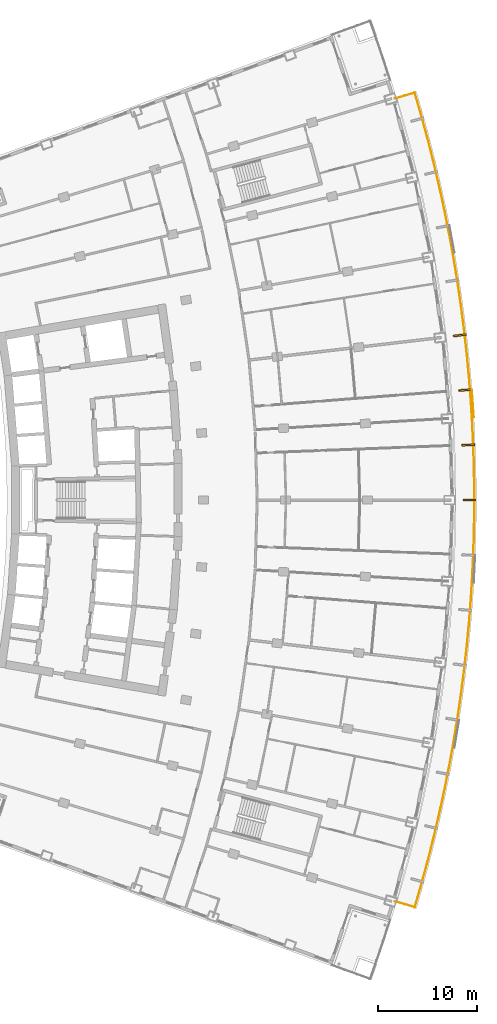
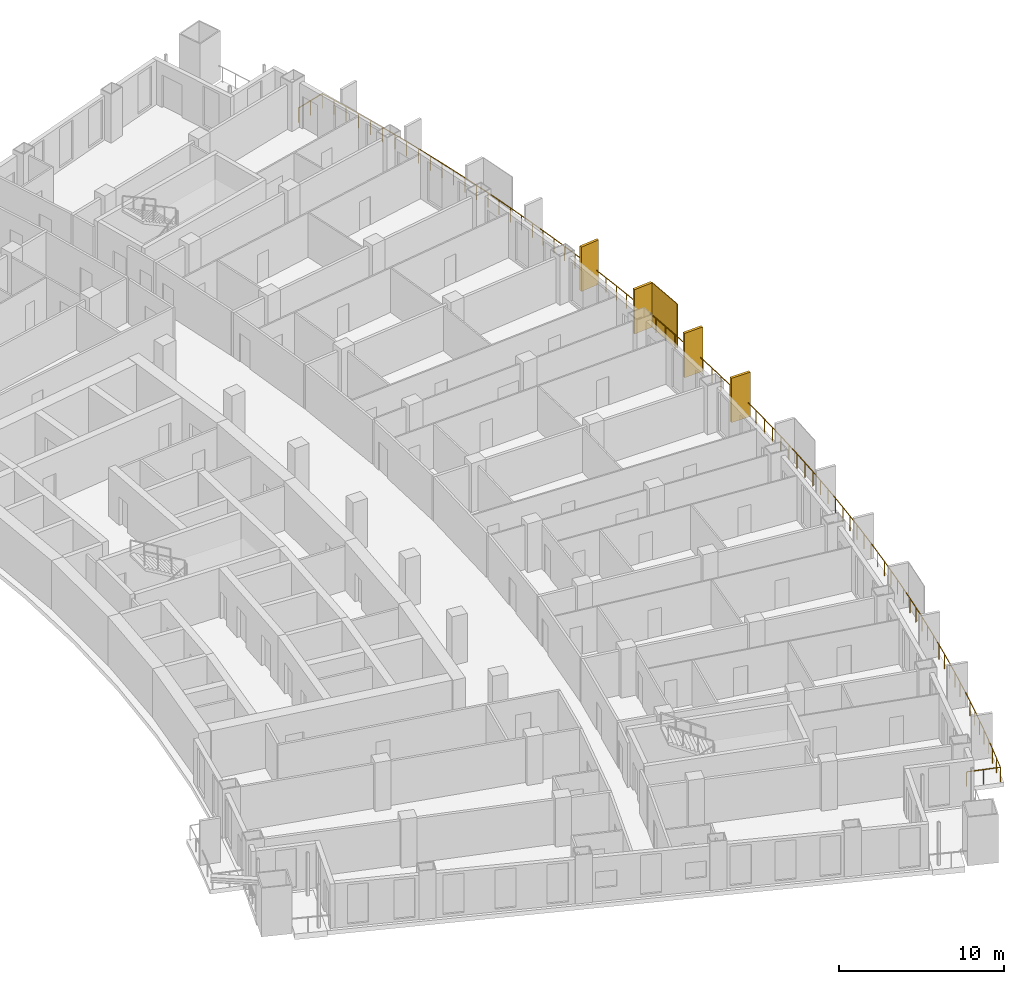
# One storey, part 24 of 25: 5 shading devices, 1 railing.
"""IFC4 building model written with IfcOpenShell, lengths in metres."""

import ifcopenshell
import ifcopenshell.guid

model = None  # the IFC model being written
_history = None  # IfcOwnerHistory: only IFC2X3 demands one
_inside = {}  # id of a spatial element -> (the spatial element, [elements in it])
_under = {}  # id of a project, library or spatial element -> (it, [spatial elements below it])
_declared = {}  # id of a project -> (the project, [libraries it declares])
_typed = {}  # id of a type object -> (the type object, [elements of that type])
_made_of = {}  # id of a material, layer set ... -> (it, [elements and type objects made of it])


def new_model(schema):
    """Start an empty IFC model of exactly this schema.

    Asked for "IFC4X3", IfcOpenShell would pick the latest addendum, in which some entities
    have other attributes; the version numbers below select the first issue.
    IFC2X3 requires an IfcOwnerHistory on every rooted entity: one is made here for all.
    """
    global model, _history
    if schema == "IFC4X3":
        model = ifcopenshell.file(schema_version=(4, 3, 0, 0))
    else:
        model = ifcopenshell.file(schema=schema)
    _inside.clear()
    _under.clear()
    _declared.clear()
    _typed.clear()
    _made_of.clear()
    _history = None
    if model.schema == "IFC2X3":
        org = make("IfcOrganization", Name="unknown")
        user = make(
            "IfcPersonAndOrganization",
            ThePerson=make("IfcPerson", FamilyName="unknown"),
            TheOrganization=org,
        )
        app = make(
            "IfcApplication",
            ApplicationDeveloper=org,
            Version="unknown",
            ApplicationFullName="unknown",
            ApplicationIdentifier="unknown",
        )
        _history = make(
            "IfcOwnerHistory",
            OwningUser=user,
            OwningApplication=app,
            ChangeAction="ADDED",
            CreationDate=0,
        )
    return model


def make(cls, **values):
    """One entity of the class cls with the attributes given. An attribute that is None is left unset."""
    return model.create_entity(
        cls, **{name: value for name, value in values.items() if value is not None}
    )


def rooted(cls, **values):
    """An entity with a GlobalId (a new one), such as an element, a storey or a relation."""
    return make(cls, GlobalId=ifcopenshell.guid.new(), OwnerHistory=_history, **values)


def si_unit(unit_type, name, prefix=None):
    """IfcSIUnit, for example si_unit("LENGTHUNIT", "METRE", prefix="MILLI")."""
    return make("IfcSIUnit", UnitType=unit_type, Prefix=prefix, Name=name)


def assignment(units):
    """IfcUnitAssignment: the units of a project."""
    return None if units is None else make("IfcUnitAssignment", Units=units)


def point(xyz):
    """IfcCartesianPoint."""
    return None if xyz is None else make("IfcCartesianPoint", Coordinates=xyz)


def direction(xyz):
    """IfcDirection."""
    return None if xyz is None else make("IfcDirection", DirectionRatios=xyz)


def frame(location, z_axis=None, x_axis=None):
    """IfcAxis2Placement3D, a coordinate frame: its origin and axes. An axis left out is left unset."""
    return make(
        "IfcAxis2Placement3D",
        Location=point(location),
        Axis=direction(z_axis),
        RefDirection=direction(x_axis),
    )


def frame_2d(location, x_axis=None):
    """IfcAxis2Placement2D, a coordinate frame in the plane: its origin and x axis."""
    return make(
        "IfcAxis2Placement2D", Location=point(location), RefDirection=direction(x_axis)
    )


def origin():
    """The frame at (0, 0, 0) with its axes left unset."""
    return frame((0.0, 0.0, 0.0))


def origin_2d():
    """The frame at (0, 0) in the plane with its x axis left unset."""
    return frame_2d((0.0, 0.0))


def place(relative_to, where):
    """IfcLocalPlacement: puts the frame where relative to a parent placement (None: the world)."""
    return make(
        "IfcLocalPlacement", PlacementRelTo=relative_to, RelativePlacement=where
    )


def context(
    kind, dimensions, precision=None, world=None, true_north=None, identifier=None
):
    """IfcGeometricRepresentationContext, for example the 3D "Model" context."""
    return make(
        "IfcGeometricRepresentationContext",
        ContextIdentifier=identifier,
        ContextType=kind,
        CoordinateSpaceDimension=dimensions,
        Precision=precision,
        WorldCoordinateSystem=world,
        TrueNorth=true_north,
    )


def subcontext(parent, identifier, kind, view, scale=None):
    """IfcGeometricRepresentationSubContext, for example "Body" below "Model"."""
    return make(
        "IfcGeometricRepresentationSubContext",
        ContextIdentifier=identifier,
        ContextType=kind,
        ParentContext=parent,
        TargetScale=scale,
        TargetView=view,
    )


def project(units=None, contexts=None):
    """IfcProject with its units and contexts."""
    return rooted(
        "IfcProject",
        Name="project",
        RepresentationContexts=contexts,
        UnitsInContext=assignment(units),
    )


def spatial(cls, under=None, at=None, **own):
    """A site, building, storey or space (cls), placed at a placement, below another one or the project."""
    s = rooted(cls, ObjectPlacement=at, **own)
    if under is not None:
        _under.setdefault(under.id(), (under, []))[1].append(s)
    return s


def profile(cls, at=None, kind="AREA", **sizes):
    """A parametric profile (cls). Its sizes go by their IFC names, for example OverallWidth=200.0."""
    return make(cls, ProfileType=kind, Position=at, **sizes)


def rectangle(**sizes):
    """IfcRectangleProfileDef."""
    return profile("IfcRectangleProfileDef", **sizes)


def extrude(swept, where, along, depth):
    """IfcExtrudedAreaSolid: the profile swept, set in the frame where, extruded along a direction by depth."""
    return make(
        "IfcExtrudedAreaSolid",
        SweptArea=swept,
        Position=where,
        ExtrudedDirection=direction(along),
        Depth=depth,
    )


def shape(context_of_items, identifier, shape_type, items):
    """IfcShapeRepresentation: the items that make up one representation, for example the "Body"."""
    return make(
        "IfcShapeRepresentation",
        ContextOfItems=context_of_items,
        RepresentationIdentifier=identifier,
        RepresentationType=shape_type,
        Items=items,
    )


def material(Name=None, Category=None):
    """IfcMaterial."""
    return make("IfcMaterial", Name=Name, Category=Category)


def layer(
    of_material, thickness, ventilated=None, Name=None, Category=None, Priority=None
):
    """IfcMaterialLayer: one layer of a wall or slab, of a material (None: an air gap)."""
    return make(
        "IfcMaterialLayer",
        Material=of_material,
        LayerThickness=thickness,
        IsVentilated=ventilated,
        Name=Name,
        Category=Category,
        Priority=Priority,
    )


def layer_set(layers, Name=None):
    """IfcMaterialLayerSet."""
    return make("IfcMaterialLayerSet", MaterialLayers=layers, LayerSetName=Name)


def made_of(thing, what):
    """Note that an element or type object is made of a material, layer set ...; save() writes the relation."""
    if what is not None:
        _made_of.setdefault(what.id(), (what, []))[1].append(thing)
    return thing


def type_object(cls, material=None, **own):
    """A type object (cls), such as IfcWallType, which elements share."""
    return made_of(rooted(cls, **own), material)


def element(
    cls,
    number,
    at=None,
    inside=None,
    cuts=None,
    type_object=None,
    material=None,
    context=None,
    identifier="Body",
    shape_type=None,
    held_by="IfcProductDefinitionShape",
    body=None,
    shapes=None,
    **own,
):
    """One element of the class cls, such as IfcWall. Its Tag is "e" and its number.

    at: its placement. inside: the storey or other place that contains it. cuts: it is an
    opening in that element (IfcRelVoidsElement). A single representation is given by context,
    identifier, shape_type and body (its items); several are given by shapes. held_by: the class
    of the entity that holds the representations. save() writes the other relations.
    """
    e = rooted(cls, Tag="e%d" % number, ObjectPlacement=at, **own)
    if body is not None:
        shapes = [shape(context, identifier, shape_type, body)]
    if shapes is not None:
        e.Representation = make(held_by, Representations=shapes)
    if inside is not None:
        _inside.setdefault(inside.id(), (inside, []))[1].append(e)
    if cuts is not None:
        rooted(
            "IfcRelVoidsElement", RelatingBuildingElement=cuts, RelatedOpeningElement=e
        )
    if type_object is not None:
        _typed.setdefault(type_object.id(), (type_object, []))[1].append(e)
    return made_of(e, material)


def aggregate(whole, parts):
    """IfcRelAggregates: a whole, such as a stair, and the parts it consists of."""
    return rooted("IfcRelAggregates", RelatingObject=whole, RelatedObjects=parts)


def save(model, path):
    """Write the relations noted so far, then the file.

    IfcRelAggregates (storeys below a building ...), IfcRelContainedInSpatialStructure (elements
    in a storey), IfcRelDefinesByType, IfcRelAssociatesMaterial and IfcRelDeclares: one each for
    every whole, place, type object, material and project.
    """
    for whole, parts in _under.values():
        aggregate(whole, parts)
    for where, things in _inside.values():
        rooted(
            "IfcRelContainedInSpatialStructure",
            RelatedElements=things,
            RelatingStructure=where,
        )
    for kind, things in _typed.values():
        rooted("IfcRelDefinesByType", RelatedObjects=things, RelatingType=kind)
    for what, things in _made_of.values():
        rooted("IfcRelAssociatesMaterial", RelatedObjects=things, RelatingMaterial=what)
    for by, libraries in _declared.values():
        rooted("IfcRelDeclares", RelatingContext=by, RelatedDefinitions=libraries)
    model.write(path)


model = new_model("IFC4")

# Units and contexts
model_context = context("Model", 3, precision=1e-05, world=origin(), true_north=direction((0.0, 1.0)))
body_context = subcontext(model_context, "Body", "Model", "MODEL_VIEW")
ifc_project = project(units=[si_unit("LENGTHUNIT", "METRE"), si_unit("AREAUNIT", "SQUARE_METRE"), si_unit("VOLUMEUNIT", "CUBIC_METRE"), si_unit("PLANEANGLEUNIT", "RADIAN"), si_unit("MASSUNIT", "GRAM", prefix="KILO")], contexts=[model_context])

# Site, building, storey
site_placement = place(None, origin())
site = spatial("IfcSite", under=ifc_project, at=site_placement, CompositionType="ELEMENT")
building_placement = place(site_placement, origin())
building = spatial("IfcBuilding", under=site, at=building_placement, Name="Alderwake Tower", CompositionType="ELEMENT")
storey_placement = place(building_placement, frame((0.0, 0.0, 118.39990234375)))
storey = spatial("IfcBuildingStorey", under=building, at=storey_placement, Name="L29", CompositionType="ELEMENT", Elevation=118.39990234375)

# Railing
ifc_material_1 = material(Name="Stainless steel 316 rail and posts", Category="steel")
railing_type = type_object("IfcRailingType", Name="Balcony guard 1100", PredefinedType="GUARDRAIL", material=ifc_material_1)
railing_placement = place(storey_placement, frame((55.0732421875, 20.550048828125, 0.0)))
element("IfcRailing", 1, at=railing_placement, inside=storey, type_object=railing_type, Name="Guard BF02", PredefinedType="GUARDRAIL", context=body_context, shape_type="SweptSolid", body=[
    extrude(rectangle(XDim=0.048095703125, YDim=0.048095703125, at=origin_2d()), frame((0.0, 0.0, 1.076171875), z_axis=(0.957954179098, -0.286921227429, 0.0), x_axis=(0.286921227429, 0.957954179098, 0.0)), (0.0, 0.0, 1.0), 2.10009765625),
    extrude(rectangle(XDim=0.048095703125, YDim=0.048095703125, at=origin_2d()), frame((2.01171875, -0.6025390625, 1.076171875), z_axis=(0.280283097099, 0.959917384716, 0.0), x_axis=(-0.959917384716, 0.280283097099, 0.0)), (0.0, 0.0, 1.0), 1.98681640625),
    extrude(rectangle(XDim=0.048095703125, YDim=0.048095703125, at=origin_2d()), frame((2.568603515625, 1.3046875, 1.076171875), z_axis=(0.266491255264, 0.963837336311, 0.0), x_axis=(-0.963837336311, 0.266491255264, 0.0)), (0.0, 0.0, 1.0), 2.0869140625),
    extrude(rectangle(XDim=0.048095703125, YDim=0.048095703125, at=origin_2d()), frame((3.124755859375, 3.316162109375, 1.076171875), z_axis=(0.252459995682, 0.967607332848, 0.0), x_axis=(-0.967607332848, 0.252459995682, 0.0)), (0.0, 0.0, 1.0), 2.0869140625),
    extrude(rectangle(XDim=0.048095703125, YDim=0.048095703125, at=origin_2d()), frame((3.651611328125, 5.33544921875, 1.076171875), z_axis=(0.238321472338, 0.971186323947, 0.0), x_axis=(-0.971186323947, 0.238321472338, 0.0)), (0.0, 0.0, 1.0), 2.086669921875),
    extrude(rectangle(XDim=0.048095703125, YDim=0.048095703125, at=origin_2d()), frame((4.14892578125, 7.362060546875, 1.076171875), z_axis=(0.224158804419, 0.974552630904, 0.0), x_axis=(-0.974552630904, 0.224158804419, 0.0)), (0.0, 0.0, 1.0), 2.0869140625),
    extrude(rectangle(XDim=0.048095703125, YDim=0.048095703125, at=origin_2d()), frame((4.61669921875, 9.395751953125, 1.076171875), z_axis=(0.209864613259, 0.97773045575, 0.0), x_axis=(-0.97773045575, 0.209864613259, 0.0)), (0.0, 0.0, 1.0), 2.0869140625),
    extrude(rectangle(XDim=0.048095703125, YDim=0.048095703125, at=origin_2d()), frame((5.0546875, 11.436279296875, 1.076171875), z_axis=(0.195621117445, 0.980679549297, 0.0), x_axis=(-0.980679549297, 0.195621117445, 0.0)), (0.0, 0.0, 1.0), 2.086669921875),
    extrude(rectangle(XDim=0.048095703125, YDim=0.048095703125, at=origin_2d()), frame((5.462890625, 13.482666015625, 1.076171875), z_axis=(0.181201135189, 0.983446057802, 0.0), x_axis=(-0.983446057802, 0.181201135189, 0.0)), (0.0, 0.0, 1.0), 2.087158203125),
    extrude(rectangle(XDim=0.048095703125, YDim=0.048095703125, at=origin_2d()), frame((5.841064453125, 15.53515625, 1.076171875), z_axis=(0.16695979662, 0.985963704359, 0.0), x_axis=(-0.985963704359, 0.16695979662, 0.0)), (0.0, 0.0, 1.0), 2.086669921875),
    extrude(rectangle(XDim=0.048095703125, YDim=0.048095703125, at=origin_2d()), frame((6.189453125, 17.592529296875, 1.076171875), z_axis=(0.152549452359, 0.988295838595, 0.0), x_axis=(-0.988295838595, 0.152549452359, 0.0)), (0.0, 0.0, 1.0), 2.0869140625),
    extrude(rectangle(XDim=0.048095703125, YDim=0.048095703125, at=origin_2d()), frame((6.5078125, 19.655029296875, 1.076171875), z_axis=(0.138046582794, 0.990425737236, 0.0), x_axis=(-0.990425737236, 0.138046582794, 0.0)), (0.0, 0.0, 1.0), 2.0869140625),
    extrude(rectangle(XDim=0.048095703125, YDim=0.048095703125, at=origin_2d()), frame((6.7958984375, 21.721923828125, 1.076171875), z_axis=(0.123660351943, 0.992324602818, 0.0), x_axis=(-0.992324602818, 0.123660351943, 0.0)), (0.0, 0.0, 1.0), 2.0869140625),
    extrude(rectangle(XDim=0.048095703125, YDim=0.048095703125, at=origin_2d()), frame((7.053955078125, 23.792724609375, 1.076171875), z_axis=(0.109147447014, 0.994025570501, 0.0), x_axis=(-0.994025570501, 0.109147447014, 0.0)), (0.0, 0.0, 1.0), 2.0869140625),
    extrude(rectangle(XDim=0.048095703125, YDim=0.048095703125, at=origin_2d()), frame((7.28173828125, 25.8671875, 1.076171875), z_axis=(0.094648979103, 0.995510708508, 0.0), x_axis=(-0.995510708508, 0.094648979103, 0.0)), (0.0, 0.0, 1.0), 2.086669921875),
    extrude(rectangle(XDim=0.048095703125, YDim=0.048095703125, at=origin_2d()), frame((7.479248046875, 27.944580078125, 1.076171875), z_axis=(0.080131119252, 0.996784331602, 0.0), x_axis=(-0.996784331602, 0.080131119252, 0.0)), (0.0, 0.0, 1.0), 2.0869140625),
    extrude(rectangle(XDim=0.048095703125, YDim=0.048095703125, at=origin_2d()), frame((7.646484375, 30.02490234375, 1.076171875), z_axis=(0.065633762523, 0.997843779966, 0.0), x_axis=(-0.997843779966, 0.065633762523, 0.0)), (0.0, 0.0, 1.0), 2.086669921875),
    extrude(rectangle(XDim=0.048095703125, YDim=0.048095703125, at=origin_2d()), frame((7.783447265625, 32.107177734375, 1.076171875), z_axis=(0.051005329057, 0.998698381098, 0.0), x_axis=(-0.998698381098, 0.051005329057, 0.0)), (0.0, 0.0, 1.0), 2.0869140625),
    extrude(rectangle(XDim=0.048095703125, YDim=0.048095703125, at=origin_2d()), frame((7.889892578125, 34.19140625, 1.076171875), z_axis=(0.036384228407, 0.999337874757, 0.0), x_axis=(-0.999337874757, 0.036384228407, 0.0)), (0.0, 0.0, 1.0), 2.0869140625),
    extrude(rectangle(XDim=0.048095703125, YDim=0.048095703125, at=origin_2d()), frame((7.9658203125, 36.27685546875, 1.076171875), z_axis=(0.021878904325, 0.999760628123, 0.0), x_axis=(-0.999760628123, 0.021878904325, 0.0)), (0.0, 0.0, 1.0), 2.086669921875),
    extrude(rectangle(XDim=0.048095703125, YDim=0.048095703125, at=origin_2d()), frame((8.011474609375, 38.363037109375, 1.076171875), z_axis=(0.007369944902, 0.999972841587, 0.0), x_axis=(-0.999972841587, 0.007369944902, 0.0)), (0.0, 0.0, 1.0), 2.0869140625),
    extrude(rectangle(XDim=0.048095703125, YDim=0.048095703125, at=origin_2d()), frame((8.02685546875, 40.449951171875, 1.076171875), z_axis=(-0.007369944902, 0.999972841587, 0.0), x_axis=(-0.999972841587, -0.007369944902, 0.0)), (0.0, 0.0, 1.0), 2.0869140625),
    extrude(rectangle(XDim=0.048095703125, YDim=0.048095703125, at=origin_2d()), frame((8.011474609375, 42.536865234375, 1.076171875), z_axis=(-0.021878904325, 0.999760628123, 0.0), x_axis=(-0.999760628123, -0.021878904325, 0.0)), (0.0, 0.0, 1.0), 2.086669921875),
    extrude(rectangle(XDim=0.048095703125, YDim=0.048095703125, at=origin_2d()), frame((7.9658203125, 44.623046875, 1.076171875), z_axis=(-0.036384228407, 0.999337874757, 0.0), x_axis=(-0.999337874757, -0.036384228407, 0.0)), (0.0, 0.0, 1.0), 2.0869140625),
    extrude(rectangle(XDim=0.048095703125, YDim=0.048095703125, at=origin_2d()), frame((7.889892578125, 46.70849609375, 1.076171875), z_axis=(-0.051005329057, 0.998698381098, 0.0), x_axis=(-0.998698381098, -0.051005329057, 0.0)), (0.0, 0.0, 1.0), 2.0869140625),
    extrude(rectangle(XDim=0.048095703125, YDim=0.048095703125, at=origin_2d()), frame((7.783447265625, 48.792724609375, 1.076171875), z_axis=(-0.065633762523, 0.997843779966, 0.0), x_axis=(-0.997843779966, -0.065633762523, 0.0)), (0.0, 0.0, 1.0), 2.086669921875),
    extrude(rectangle(XDim=0.048095703125, YDim=0.048095703125, at=origin_2d()), frame((7.646484375, 50.875, 1.076171875), z_axis=(-0.080131119252, 0.996784331602, 0.0), x_axis=(-0.996784331602, -0.080131119252, 0.0)), (0.0, 0.0, 1.0), 2.0869140625),
    extrude(rectangle(XDim=0.048095703125, YDim=0.048095703125, at=origin_2d()), frame((7.479248046875, 52.955322265625, 1.076171875), z_axis=(-0.094648979103, 0.995510708508, 0.0), x_axis=(-0.995510708508, -0.094648979103, 0.0)), (0.0, 0.0, 1.0), 2.086669921875),
    extrude(rectangle(XDim=0.048095703125, YDim=0.048095703125, at=origin_2d()), frame((7.28173828125, 55.03271484375, 1.076171875), z_axis=(-0.109147447014, 0.994025570501, 0.0), x_axis=(-0.994025570501, -0.109147447014, 0.0)), (0.0, 0.0, 1.0), 2.0869140625),
    extrude(rectangle(XDim=0.048095703125, YDim=0.048095703125, at=origin_2d()), frame((7.053955078125, 57.107177734375, 1.076171875), z_axis=(-0.123660351943, 0.992324602818, 0.0), x_axis=(-0.992324602818, -0.123660351943, 0.0)), (0.0, 0.0, 1.0), 2.0869140625),
    extrude(rectangle(XDim=0.048095703125, YDim=0.048095703125, at=origin_2d()), frame((6.7958984375, 59.177978515625, 1.076171875), z_axis=(-0.138046582794, 0.990425737236, 0.0), x_axis=(-0.990425737236, -0.138046582794, 0.0)), (0.0, 0.0, 1.0), 2.0869140625),
    extrude(rectangle(XDim=0.048095703125, YDim=0.048095703125, at=origin_2d()), frame((6.5078125, 61.244873046875, 1.076171875), z_axis=(-0.152549452359, 0.988295838595, 0.0), x_axis=(-0.988295838595, -0.152549452359, 0.0)), (0.0, 0.0, 1.0), 2.0869140625),
    extrude(rectangle(XDim=0.048095703125, YDim=0.048095703125, at=origin_2d()), frame((6.189453125, 63.307373046875, 1.076171875), z_axis=(-0.16695979662, 0.985963704359, 0.0), x_axis=(-0.985963704359, -0.16695979662, 0.0)), (0.0, 0.0, 1.0), 2.086669921875),
    extrude(rectangle(XDim=0.048095703125, YDim=0.048095703125, at=origin_2d()), frame((5.841064453125, 65.36474609375, 1.076171875), z_axis=(-0.181201135189, 0.983446057802, 0.0), x_axis=(-0.983446057802, -0.181201135189, 0.0)), (0.0, 0.0, 1.0), 2.087158203125),
    extrude(rectangle(XDim=0.048095703125, YDim=0.048095703125, at=origin_2d()), frame((5.462890625, 67.417236328125, 1.076171875), z_axis=(-0.195621117445, 0.980679549297, 0.0), x_axis=(-0.980679549297, -0.195621117445, 0.0)), (0.0, 0.0, 1.0), 2.086669921875),
    extrude(rectangle(XDim=0.048095703125, YDim=0.048095703125, at=origin_2d()), frame((5.0546875, 69.463623046875, 1.076171875), z_axis=(-0.209864613259, 0.97773045575, 0.0), x_axis=(-0.97773045575, -0.209864613259, 0.0)), (0.0, 0.0, 1.0), 2.0869140625),
    extrude(rectangle(XDim=0.048095703125, YDim=0.048095703125, at=origin_2d()), frame((4.61669921875, 71.504150390625, 1.076171875), z_axis=(-0.224158804419, 0.974552630904, 0.0), x_axis=(-0.974552630904, -0.224158804419, 0.0)), (0.0, 0.0, 1.0), 2.0869140625),
    extrude(rectangle(XDim=0.048095703125, YDim=0.048095703125, at=origin_2d()), frame((4.14892578125, 73.537841796875, 1.076171875), z_axis=(-0.238321472338, 0.971186323947, 0.0), x_axis=(-0.971186323947, -0.238321472338, 0.0)), (0.0, 0.0, 1.0), 2.086669921875),
    extrude(rectangle(XDim=0.048095703125, YDim=0.048095703125, at=origin_2d()), frame((3.651611328125, 75.564453125, 1.076171875), z_axis=(-0.252459995682, 0.967607332848, 0.0), x_axis=(-0.967607332848, -0.252459995682, 0.0)), (0.0, 0.0, 1.0), 2.0869140625),
    extrude(rectangle(XDim=0.048095703125, YDim=0.048095703125, at=origin_2d()), frame((3.124755859375, 77.583740234375, 1.076171875), z_axis=(-0.266491255264, 0.963837336311, 0.0), x_axis=(-0.963837336311, -0.266491255264, 0.0)), (0.0, 0.0, 1.0), 2.0869140625),
    extrude(rectangle(XDim=0.048095703125, YDim=0.048095703125, at=origin_2d()), frame((2.568603515625, 79.59521484375, 1.076171875), z_axis=(-0.280283097099, 0.959917384716, 0.0), x_axis=(-0.959917384716, -0.280283097099, 0.0)), (0.0, 0.0, 1.0), 1.98681640625),
    extrude(rectangle(XDim=0.048095703125, YDim=0.048095703125, at=origin_2d()), frame((2.01171875, 81.50244140625, 1.076171875), z_axis=(-0.957954179098, -0.286921227429, 0.0), x_axis=(0.286921227429, -0.957954179098, 0.0)), (0.0, 0.0, 1.0), 2.10009765625),
    extrude(rectangle(XDim=0.0419921875, YDim=0.0419921875, at=origin_2d()), frame((0.0, 0.0, 0.0), z_axis=(0.0, 0.0, 1.0), x_axis=(0.957954179098, -0.286921227429, 0.0)), (0.0, 0.0, 1.0), 1.052001953125),
    extrude(rectangle(XDim=0.0419921875, YDim=0.0419921875, at=origin_2d()), frame((1.005859375, -0.30126953125, 0.0), z_axis=(0.0, 0.0, 1.0), x_axis=(0.957954179098, -0.286921227429, 0.0)), (0.0, 0.0, 1.0), 1.052001953125),
    extrude(rectangle(XDim=0.0419921875, YDim=0.0419921875, at=origin_2d()), frame((2.01171875, -0.6025390625, 0.0), z_axis=(0.0, 0.0, 1.0), x_axis=(0.280283097099, 0.959917384716, 0.0)), (0.0, 0.0, 1.0), 1.052001953125),
    extrude(rectangle(XDim=0.0419921875, YDim=0.0419921875, at=origin_2d()), frame((2.2900390625, 0.35107421875, 0.0), z_axis=(0.0, 0.0, 1.0), x_axis=(0.280283097099, 0.959917384716, 0.0)), (0.0, 0.0, 1.0), 1.052001953125),
    extrude(rectangle(XDim=0.0419921875, YDim=0.0419921875, at=origin_2d()), frame((2.568603515625, 1.3046875, 0.0), z_axis=(0.0, 0.0, 1.0), x_axis=(0.266491255264, 0.963837336311, 0.0)), (0.0, 0.0, 1.0), 1.052001953125),
    extrude(rectangle(XDim=0.0419921875, YDim=0.0419921875, at=origin_2d()), frame((2.8466796875, 2.310546875, 0.0), z_axis=(0.0, 0.0, 1.0), x_axis=(0.266491255264, 0.963837336311, 0.0)), (0.0, 0.0, 1.0), 1.052001953125),
    extrude(rectangle(XDim=0.0419921875, YDim=0.0419921875, at=origin_2d()), frame((3.124755859375, 3.316162109375, 0.0), z_axis=(0.0, 0.0, 1.0), x_axis=(0.252459995682, 0.967607332848, 0.0)), (0.0, 0.0, 1.0), 1.052001953125),
    extrude(rectangle(XDim=0.0419921875, YDim=0.0419921875, at=origin_2d()), frame((3.38818359375, 4.32568359375, 0.0), z_axis=(0.0, 0.0, 1.0), x_axis=(0.252459995682, 0.967607332848, 0.0)), (0.0, 0.0, 1.0), 1.052001953125),
    extrude(rectangle(XDim=0.0419921875, YDim=0.0419921875, at=origin_2d()), frame((3.651611328125, 5.33544921875, 0.0), z_axis=(0.0, 0.0, 1.0), x_axis=(0.238321472338, 0.971186323947, 0.0)), (0.0, 0.0, 1.0), 1.052001953125),
    extrude(rectangle(XDim=0.0419921875, YDim=0.0419921875, at=origin_2d()), frame((3.900390625, 6.3486328125, 0.0), z_axis=(0.0, 0.0, 1.0), x_axis=(0.238321472338, 0.971186323947, 0.0)), (0.0, 0.0, 1.0), 1.052001953125),
    extrude(rectangle(XDim=0.0419921875, YDim=0.0419921875, at=origin_2d()), frame((4.14892578125, 7.362060546875, 0.0), z_axis=(0.0, 0.0, 1.0), x_axis=(0.224158804419, 0.974552630904, 0.0)), (0.0, 0.0, 1.0), 1.052001953125),
    extrude(rectangle(XDim=0.0419921875, YDim=0.0419921875, at=origin_2d()), frame((4.3828125, 8.37890625, 0.0), z_axis=(0.0, 0.0, 1.0), x_axis=(0.224158804419, 0.974552630904, 0.0)), (0.0, 0.0, 1.0), 1.052001953125),
    extrude(rectangle(XDim=0.0419921875, YDim=0.0419921875, at=origin_2d()), frame((4.61669921875, 9.395751953125, 0.0), z_axis=(0.0, 0.0, 1.0), x_axis=(0.209864613259, 0.97773045575, 0.0)), (0.0, 0.0, 1.0), 1.052001953125),
    extrude(rectangle(XDim=0.0419921875, YDim=0.0419921875, at=origin_2d()), frame((4.835693359375, 10.416015625, 0.0), z_axis=(0.0, 0.0, 1.0), x_axis=(0.209864613259, 0.97773045575, 0.0)), (0.0, 0.0, 1.0), 1.052001953125),
    extrude(rectangle(XDim=0.0419921875, YDim=0.0419921875, at=origin_2d()), frame((5.0546875, 11.436279296875, 0.0), z_axis=(0.0, 0.0, 1.0), x_axis=(0.195621117445, 0.980679549297, 0.0)), (0.0, 0.0, 1.0), 1.052001953125),
    extrude(rectangle(XDim=0.0419921875, YDim=0.0419921875, at=origin_2d()), frame((5.2587890625, 12.45947265625, 0.0), z_axis=(0.0, 0.0, 1.0), x_axis=(0.195621117445, 0.980679549297, 0.0)), (0.0, 0.0, 1.0), 1.052001953125),
    extrude(rectangle(XDim=0.0419921875, YDim=0.0419921875, at=origin_2d()), frame((5.462890625, 13.482666015625, 0.0), z_axis=(0.0, 0.0, 1.0), x_axis=(0.181201135189, 0.983446057802, 0.0)), (0.0, 0.0, 1.0), 1.052001953125),
    extrude(rectangle(XDim=0.0419921875, YDim=0.0419921875, at=origin_2d()), frame((5.65185546875, 14.5087890625, 0.0), z_axis=(0.0, 0.0, 1.0), x_axis=(0.181201135189, 0.983446057802, 0.0)), (0.0, 0.0, 1.0), 1.052001953125),
    extrude(rectangle(XDim=0.0419921875, YDim=0.0419921875, at=origin_2d()), frame((5.841064453125, 15.53515625, 0.0), z_axis=(0.0, 0.0, 1.0), x_axis=(0.16695979662, 0.985963704359, 0.0)), (0.0, 0.0, 1.0), 1.052001953125),
    extrude(rectangle(XDim=0.0419921875, YDim=0.0419921875, at=origin_2d()), frame((6.01513671875, 16.56396484375, 0.0), z_axis=(0.0, 0.0, 1.0), x_axis=(0.16695979662, 0.985963704359, 0.0)), (0.0, 0.0, 1.0), 1.052001953125),
    extrude(rectangle(XDim=0.0419921875, YDim=0.0419921875, at=origin_2d()), frame((6.189453125, 17.592529296875, 0.0), z_axis=(0.0, 0.0, 1.0), x_axis=(0.152549452359, 0.988295838595, 0.0)), (0.0, 0.0, 1.0), 1.052001953125),
    extrude(rectangle(XDim=0.0419921875, YDim=0.0419921875, at=origin_2d()), frame((6.3486328125, 18.623779296875, 0.0), z_axis=(0.0, 0.0, 1.0), x_axis=(0.152549452359, 0.988295838595, 0.0)), (0.0, 0.0, 1.0), 1.052001953125),
    extrude(rectangle(XDim=0.0419921875, YDim=0.0419921875, at=origin_2d()), frame((6.5078125, 19.655029296875, 0.0), z_axis=(0.0, 0.0, 1.0), x_axis=(0.138046582794, 0.990425737236, 0.0)), (0.0, 0.0, 1.0), 1.052001953125),
    extrude(rectangle(XDim=0.0419921875, YDim=0.0419921875, at=origin_2d()), frame((6.65185546875, 20.6884765625, 0.0), z_axis=(0.0, 0.0, 1.0), x_axis=(0.138046582794, 0.990425737236, 0.0)), (0.0, 0.0, 1.0), 1.052001953125),
    extrude(rectangle(XDim=0.0419921875, YDim=0.0419921875, at=origin_2d()), frame((6.7958984375, 21.721923828125, 0.0), z_axis=(0.0, 0.0, 1.0), x_axis=(0.123660351943, 0.992324602818, 0.0)), (0.0, 0.0, 1.0), 1.052001953125),
    extrude(rectangle(XDim=0.0419921875, YDim=0.0419921875, at=origin_2d()), frame((6.9248046875, 22.75732421875, 0.0), z_axis=(0.0, 0.0, 1.0), x_axis=(0.123660351943, 0.992324602818, 0.0)), (0.0, 0.0, 1.0), 1.052001953125),
    extrude(rectangle(XDim=0.0419921875, YDim=0.0419921875, at=origin_2d()), frame((7.053955078125, 23.792724609375, 0.0), z_axis=(0.0, 0.0, 1.0), x_axis=(0.109147447014, 0.994025570501, 0.0)), (0.0, 0.0, 1.0), 1.052001953125),
    extrude(rectangle(XDim=0.0419921875, YDim=0.0419921875, at=origin_2d()), frame((7.16796875, 24.830078125, 0.0), z_axis=(0.0, 0.0, 1.0), x_axis=(0.109147447014, 0.994025570501, 0.0)), (0.0, 0.0, 1.0), 1.052001953125),
    extrude(rectangle(XDim=0.0419921875, YDim=0.0419921875, at=origin_2d()), frame((7.28173828125, 25.8671875, 0.0), z_axis=(0.0, 0.0, 1.0), x_axis=(0.094648979103, 0.995510708508, 0.0)), (0.0, 0.0, 1.0), 1.052001953125),
    extrude(rectangle(XDim=0.0419921875, YDim=0.0419921875, at=origin_2d()), frame((7.38037109375, 26.90576171875, 0.0), z_axis=(0.0, 0.0, 1.0), x_axis=(0.094648979103, 0.995510708508, 0.0)), (0.0, 0.0, 1.0), 1.052001953125),
    extrude(rectangle(XDim=0.0419921875, YDim=0.0419921875, at=origin_2d()), frame((7.479248046875, 27.944580078125, 0.0), z_axis=(0.0, 0.0, 1.0), x_axis=(0.080131119252, 0.996784331602, 0.0)), (0.0, 0.0, 1.0), 1.052001953125),
    extrude(rectangle(XDim=0.0419921875, YDim=0.0419921875, at=origin_2d()), frame((7.56298828125, 28.98486328125, 0.0), z_axis=(0.0, 0.0, 1.0), x_axis=(0.080131119252, 0.996784331602, 0.0)), (0.0, 0.0, 1.0), 1.052001953125),
    extrude(rectangle(XDim=0.0419921875, YDim=0.0419921875, at=origin_2d()), frame((7.646484375, 30.02490234375, 0.0), z_axis=(0.0, 0.0, 1.0), x_axis=(0.065633762523, 0.997843779966, 0.0)), (0.0, 0.0, 1.0), 1.052001953125),
    extrude(rectangle(XDim=0.0419921875, YDim=0.0419921875, at=origin_2d()), frame((7.71484375, 31.06591796875, 0.0), z_axis=(0.0, 0.0, 1.0), x_axis=(0.065633762523, 0.997843779966, 0.0)), (0.0, 0.0, 1.0), 1.052001953125),
    extrude(rectangle(XDim=0.0419921875, YDim=0.0419921875, at=origin_2d()), frame((7.783447265625, 32.107177734375, 0.0), z_axis=(0.0, 0.0, 1.0), x_axis=(0.051005329057, 0.998698381098, 0.0)), (0.0, 0.0, 1.0), 1.052001953125),
    extrude(rectangle(XDim=0.0419921875, YDim=0.0419921875, at=origin_2d()), frame((7.836669921875, 33.1494140625, 0.0), z_axis=(0.0, 0.0, 1.0), x_axis=(0.051005329057, 0.998698381098, 0.0)), (0.0, 0.0, 1.0), 1.052001953125),
    extrude(rectangle(XDim=0.0419921875, YDim=0.0419921875, at=origin_2d()), frame((7.889892578125, 34.19140625, 0.0), z_axis=(0.0, 0.0, 1.0), x_axis=(0.036384228407, 0.999337874757, 0.0)), (0.0, 0.0, 1.0), 1.052001953125),
    extrude(rectangle(XDim=0.0419921875, YDim=0.0419921875, at=origin_2d()), frame((7.927734375, 35.234130859375, 0.0), z_axis=(0.0, 0.0, 1.0), x_axis=(0.036384228407, 0.999337874757, 0.0)), (0.0, 0.0, 1.0), 1.052001953125),
    extrude(rectangle(XDim=0.0419921875, YDim=0.0419921875, at=origin_2d()), frame((7.9658203125, 36.27685546875, 0.0), z_axis=(0.0, 0.0, 1.0), x_axis=(0.021878904325, 0.999760628123, 0.0)), (0.0, 0.0, 1.0), 1.052001953125),
    extrude(rectangle(XDim=0.0419921875, YDim=0.0419921875, at=origin_2d()), frame((7.98876953125, 37.31982421875, 0.0), z_axis=(0.0, 0.0, 1.0), x_axis=(0.021878904325, 0.999760628123, 0.0)), (0.0, 0.0, 1.0), 1.052001953125),
    extrude(rectangle(XDim=0.0419921875, YDim=0.0419921875, at=origin_2d()), frame((8.011474609375, 38.363037109375, 0.0), z_axis=(0.0, 0.0, 1.0), x_axis=(0.007369944902, 0.999972841587, 0.0)), (0.0, 0.0, 1.0), 1.052001953125),
    extrude(rectangle(XDim=0.0419921875, YDim=0.0419921875, at=origin_2d()), frame((8.01904296875, 39.406494140625, 0.0), z_axis=(0.0, 0.0, 1.0), x_axis=(0.007369944902, 0.999972841587, 0.0)), (0.0, 0.0, 1.0), 1.052001953125),
    extrude(rectangle(XDim=0.0419921875, YDim=0.0419921875, at=origin_2d()), frame((8.02685546875, 40.449951171875, 0.0), z_axis=(0.0, 0.0, 1.0), x_axis=(-0.007369944902, 0.999972841587, 0.0)), (0.0, 0.0, 1.0), 1.052001953125),
    extrude(rectangle(XDim=0.0419921875, YDim=0.0419921875, at=origin_2d()), frame((8.01904296875, 41.493408203125, 0.0), z_axis=(0.0, 0.0, 1.0), x_axis=(-0.007369944902, 0.999972841587, 0.0)), (0.0, 0.0, 1.0), 1.052001953125),
    extrude(rectangle(XDim=0.0419921875, YDim=0.0419921875, at=origin_2d()), frame((8.011474609375, 42.536865234375, 0.0), z_axis=(0.0, 0.0, 1.0), x_axis=(-0.021878904325, 0.999760628123, 0.0)), (0.0, 0.0, 1.0), 1.052001953125),
    extrude(rectangle(XDim=0.0419921875, YDim=0.0419921875, at=origin_2d()), frame((7.98876953125, 43.580078125, 0.0), z_axis=(0.0, 0.0, 1.0), x_axis=(-0.021878904325, 0.999760628123, 0.0)), (0.0, 0.0, 1.0), 1.052001953125),
    extrude(rectangle(XDim=0.0419921875, YDim=0.0419921875, at=origin_2d()), frame((7.9658203125, 44.623046875, 0.0), z_axis=(0.0, 0.0, 1.0), x_axis=(-0.036384228407, 0.999337874757, 0.0)), (0.0, 0.0, 1.0), 1.052001953125),
    extrude(rectangle(XDim=0.0419921875, YDim=0.0419921875, at=origin_2d()), frame((7.927734375, 45.665771484375, 0.0), z_axis=(0.0, 0.0, 1.0), x_axis=(-0.036384228407, 0.999337874757, 0.0)), (0.0, 0.0, 1.0), 1.052001953125),
    extrude(rectangle(XDim=0.0419921875, YDim=0.0419921875, at=origin_2d()), frame((7.889892578125, 46.70849609375, 0.0), z_axis=(0.0, 0.0, 1.0), x_axis=(-0.051005329057, 0.998698381098, 0.0)), (0.0, 0.0, 1.0), 1.052001953125),
    extrude(rectangle(XDim=0.0419921875, YDim=0.0419921875, at=origin_2d()), frame((7.836669921875, 47.75048828125, 0.0), z_axis=(0.0, 0.0, 1.0), x_axis=(-0.051005329057, 0.998698381098, 0.0)), (0.0, 0.0, 1.0), 1.052001953125),
    extrude(rectangle(XDim=0.0419921875, YDim=0.0419921875, at=origin_2d()), frame((7.783447265625, 48.792724609375, 0.0), z_axis=(0.0, 0.0, 1.0), x_axis=(-0.065633762523, 0.997843779966, 0.0)), (0.0, 0.0, 1.0), 1.052001953125),
    extrude(rectangle(XDim=0.0419921875, YDim=0.0419921875, at=origin_2d()), frame((7.71484375, 49.833984375, 0.0), z_axis=(0.0, 0.0, 1.0), x_axis=(-0.065633762523, 0.997843779966, 0.0)), (0.0, 0.0, 1.0), 1.052001953125),
    extrude(rectangle(XDim=0.0419921875, YDim=0.0419921875, at=origin_2d()), frame((7.646484375, 50.875, 0.0), z_axis=(0.0, 0.0, 1.0), x_axis=(-0.080131119252, 0.996784331602, 0.0)), (0.0, 0.0, 1.0), 1.052001953125),
    extrude(rectangle(XDim=0.0419921875, YDim=0.0419921875, at=origin_2d()), frame((7.56298828125, 51.9150390625, 0.0), z_axis=(0.0, 0.0, 1.0), x_axis=(-0.080131119252, 0.996784331602, 0.0)), (0.0, 0.0, 1.0), 1.052001953125),
    extrude(rectangle(XDim=0.0419921875, YDim=0.0419921875, at=origin_2d()), frame((7.479248046875, 52.955322265625, 0.0), z_axis=(0.0, 0.0, 1.0), x_axis=(-0.094648979103, 0.995510708508, 0.0)), (0.0, 0.0, 1.0), 1.052001953125),
    extrude(rectangle(XDim=0.0419921875, YDim=0.0419921875, at=origin_2d()), frame((7.38037109375, 53.994140625, 0.0), z_axis=(0.0, 0.0, 1.0), x_axis=(-0.094648979103, 0.995510708508, 0.0)), (0.0, 0.0, 1.0), 1.052001953125),
    extrude(rectangle(XDim=0.0419921875, YDim=0.0419921875, at=origin_2d()), frame((7.28173828125, 55.03271484375, 0.0), z_axis=(0.0, 0.0, 1.0), x_axis=(-0.109147447014, 0.994025570501, 0.0)), (0.0, 0.0, 1.0), 1.052001953125),
    extrude(rectangle(XDim=0.0419921875, YDim=0.0419921875, at=origin_2d()), frame((7.16796875, 56.06982421875, 0.0), z_axis=(0.0, 0.0, 1.0), x_axis=(-0.109147447014, 0.994025570501, 0.0)), (0.0, 0.0, 1.0), 1.052001953125),
    extrude(rectangle(XDim=0.0419921875, YDim=0.0419921875, at=origin_2d()), frame((7.053955078125, 57.107177734375, 0.0), z_axis=(0.0, 0.0, 1.0), x_axis=(-0.123660351943, 0.992324602818, 0.0)), (0.0, 0.0, 1.0), 1.052001953125),
    extrude(rectangle(XDim=0.0419921875, YDim=0.0419921875, at=origin_2d()), frame((6.9248046875, 58.142578125, 0.0), z_axis=(0.0, 0.0, 1.0), x_axis=(-0.123660351943, 0.992324602818, 0.0)), (0.0, 0.0, 1.0), 1.052001953125),
    extrude(rectangle(XDim=0.0419921875, YDim=0.0419921875, at=origin_2d()), frame((6.7958984375, 59.177978515625, 0.0), z_axis=(0.0, 0.0, 1.0), x_axis=(-0.138046582794, 0.990425737236, 0.0)), (0.0, 0.0, 1.0), 1.052001953125),
    extrude(rectangle(XDim=0.0419921875, YDim=0.0419921875, at=origin_2d()), frame((6.65185546875, 60.21142578125, 0.0), z_axis=(0.0, 0.0, 1.0), x_axis=(-0.138046582794, 0.990425737236, 0.0)), (0.0, 0.0, 1.0), 1.052001953125),
    extrude(rectangle(XDim=0.0419921875, YDim=0.0419921875, at=origin_2d()), frame((6.5078125, 61.244873046875, 0.0), z_axis=(0.0, 0.0, 1.0), x_axis=(-0.152549452359, 0.988295838595, 0.0)), (0.0, 0.0, 1.0), 1.052001953125),
    extrude(rectangle(XDim=0.0419921875, YDim=0.0419921875, at=origin_2d()), frame((6.3486328125, 62.276123046875, 0.0), z_axis=(0.0, 0.0, 1.0), x_axis=(-0.152549452359, 0.988295838595, 0.0)), (0.0, 0.0, 1.0), 1.052001953125),
    extrude(rectangle(XDim=0.0419921875, YDim=0.0419921875, at=origin_2d()), frame((6.189453125, 63.307373046875, 0.0), z_axis=(0.0, 0.0, 1.0), x_axis=(-0.16695979662, 0.985963704359, 0.0)), (0.0, 0.0, 1.0), 1.052001953125),
    extrude(rectangle(XDim=0.0419921875, YDim=0.0419921875, at=origin_2d()), frame((6.01513671875, 64.3359375, 0.0), z_axis=(0.0, 0.0, 1.0), x_axis=(-0.16695979662, 0.985963704359, 0.0)), (0.0, 0.0, 1.0), 1.052001953125),
    extrude(rectangle(XDim=0.0419921875, YDim=0.0419921875, at=origin_2d()), frame((5.841064453125, 65.36474609375, 0.0), z_axis=(0.0, 0.0, 1.0), x_axis=(-0.181201135189, 0.983446057802, 0.0)), (0.0, 0.0, 1.0), 1.052001953125),
    extrude(rectangle(XDim=0.0419921875, YDim=0.0419921875, at=origin_2d()), frame((5.65185546875, 66.39111328125, 0.0), z_axis=(0.0, 0.0, 1.0), x_axis=(-0.181201135189, 0.983446057802, 0.0)), (0.0, 0.0, 1.0), 1.052001953125),
    extrude(rectangle(XDim=0.0419921875, YDim=0.0419921875, at=origin_2d()), frame((5.462890625, 67.417236328125, 0.0), z_axis=(0.0, 0.0, 1.0), x_axis=(-0.195621117445, 0.980679549297, 0.0)), (0.0, 0.0, 1.0), 1.052001953125),
    extrude(rectangle(XDim=0.0419921875, YDim=0.0419921875, at=origin_2d()), frame((5.2587890625, 68.4404296875, 0.0), z_axis=(0.0, 0.0, 1.0), x_axis=(-0.195621117445, 0.980679549297, 0.0)), (0.0, 0.0, 1.0), 1.052001953125),
    extrude(rectangle(XDim=0.0419921875, YDim=0.0419921875, at=origin_2d()), frame((5.0546875, 69.463623046875, 0.0), z_axis=(0.0, 0.0, 1.0), x_axis=(-0.209864613259, 0.97773045575, 0.0)), (0.0, 0.0, 1.0), 1.052001953125),
    extrude(rectangle(XDim=0.0419921875, YDim=0.0419921875, at=origin_2d()), frame((4.835693359375, 70.48388671875, 0.0), z_axis=(0.0, 0.0, 1.0), x_axis=(-0.209864613259, 0.97773045575, 0.0)), (0.0, 0.0, 1.0), 1.052001953125),
    extrude(rectangle(XDim=0.0419921875, YDim=0.0419921875, at=origin_2d()), frame((4.61669921875, 71.504150390625, 0.0), z_axis=(0.0, 0.0, 1.0), x_axis=(-0.224158804419, 0.974552630904, 0.0)), (0.0, 0.0, 1.0), 1.052001953125),
    extrude(rectangle(XDim=0.0419921875, YDim=0.0419921875, at=origin_2d()), frame((4.3828125, 72.52099609375, 0.0), z_axis=(0.0, 0.0, 1.0), x_axis=(-0.224158804419, 0.974552630904, 0.0)), (0.0, 0.0, 1.0), 1.052001953125),
    extrude(rectangle(XDim=0.0419921875, YDim=0.0419921875, at=origin_2d()), frame((4.14892578125, 73.537841796875, 0.0), z_axis=(0.0, 0.0, 1.0), x_axis=(-0.238321472338, 0.971186323947, 0.0)), (0.0, 0.0, 1.0), 1.052001953125),
    extrude(rectangle(XDim=0.0419921875, YDim=0.0419921875, at=origin_2d()), frame((3.900390625, 74.55126953125, 0.0), z_axis=(0.0, 0.0, 1.0), x_axis=(-0.238321472338, 0.971186323947, 0.0)), (0.0, 0.0, 1.0), 1.052001953125),
    extrude(rectangle(XDim=0.0419921875, YDim=0.0419921875, at=origin_2d()), frame((3.651611328125, 75.564453125, 0.0), z_axis=(0.0, 0.0, 1.0), x_axis=(-0.252459995682, 0.967607332848, 0.0)), (0.0, 0.0, 1.0), 1.052001953125),
    extrude(rectangle(XDim=0.0419921875, YDim=0.0419921875, at=origin_2d()), frame((3.38818359375, 76.57421875, 0.0), z_axis=(0.0, 0.0, 1.0), x_axis=(-0.252459995682, 0.967607332848, 0.0)), (0.0, 0.0, 1.0), 1.052001953125),
    extrude(rectangle(XDim=0.0419921875, YDim=0.0419921875, at=origin_2d()), frame((3.124755859375, 77.583740234375, 0.0), z_axis=(0.0, 0.0, 1.0), x_axis=(-0.266491255264, 0.963837336311, 0.0)), (0.0, 0.0, 1.0), 1.052001953125),
    extrude(rectangle(XDim=0.0419921875, YDim=0.0419921875, at=origin_2d()), frame((2.8466796875, 78.58935546875, 0.0), z_axis=(0.0, 0.0, 1.0), x_axis=(-0.266491255264, 0.963837336311, 0.0)), (0.0, 0.0, 1.0), 1.052001953125),
    extrude(rectangle(XDim=0.0419921875, YDim=0.0419921875, at=origin_2d()), frame((2.568603515625, 79.59521484375, 0.0), z_axis=(0.0, 0.0, 1.0), x_axis=(-0.280283097099, 0.959917384716, 0.0)), (0.0, 0.0, 1.0), 1.052001953125),
    extrude(rectangle(XDim=0.0419921875, YDim=0.0419921875, at=origin_2d()), frame((2.2900390625, 80.548828125, 0.0), z_axis=(0.0, 0.0, 1.0), x_axis=(-0.280283097099, 0.959917384716, 0.0)), (0.0, 0.0, 1.0), 1.052001953125),
    extrude(rectangle(XDim=0.0419921875, YDim=0.0419921875, at=origin_2d()), frame((2.01171875, 81.50244140625, 0.0), z_axis=(0.0, 0.0, 1.0), x_axis=(-0.957954179098, -0.286921227429, 0.0)), (0.0, 0.0, 1.0), 1.052001953125),
    extrude(rectangle(XDim=0.0419921875, YDim=0.0419921875, at=origin_2d()), frame((1.005859375, 81.201171875, 0.0), z_axis=(0.0, 0.0, 1.0), x_axis=(-0.957954179098, -0.286921227429, 0.0)), (0.0, 0.0, 1.0), 1.052001953125),
    extrude(rectangle(XDim=0.0419921875, YDim=0.0419921875, at=origin_2d()), frame((0.0, 80.89990234375, 0.0), z_axis=(0.0, 0.0, 1.0), x_axis=(-0.957954179098, -0.286921227429, 0.0)), (0.0, 0.0, 1.0), 1.052001953125),
])

# Shading devices
ifc_material_2 = material(Name="Bronze anodised aluminium", Category="aluminium")
ifc_layer_1 = layer(ifc_material_2, 0.179931640625)
ifc_layer_set_1 = layer_set([ifc_layer_1], Name="Facade fin 1300")
shading_device_type_1 = type_object("IfcShadingDeviceType", Name="Facade fin 1300", PredefinedType="USERDEFINED", material=ifc_layer_set_1)
for number, where, z_axis, x_axis, name in (
    (2, (62.60009765625, 61.0, 0.0), (0.0, 0.0, 1.0), (1.0, 0.0, 0.0), "Fin"),
    (3, (62.4921875, 66.545654296875, 0.0), (0.0, 0.0, 1.0), (0.999243494356, 0.038890088543, 0.0), "Fin"),
    (4, (62.168701171875, 72.0830078125, 0.0), (0.0, 0.0, 1.0), (0.996975122026, 0.077721335943, 0.0), "Fin"),
    (5, (61.630126953125, 77.603759765625, 0.0), (0.0, 0.0, 1.0), (0.993198315083, 0.116434990084, 0.0), "Fin"),
):
    element("IfcShadingDevice", number, at=place(storey_placement, frame(where, z_axis=z_axis, x_axis=x_axis)), inside=storey, type_object=shading_device_type_1, Name=name, ObjectType="FIN", PredefinedType="USERDEFINED", context=body_context, shape_type="SweptSolid", body=[
        extrude(rectangle(XDim=1.300048828125, YDim=0.179931640625, at=origin_2d()), origin(), (0.0, 0.0, 1.0), 3.280029296875),
    ])
ifc_material_3 = material(Name="Perforated bronze anodised aluminium", Category="aluminium")
ifc_layer_2 = layer(ifc_material_3, 0.050048828125)
ifc_layer_set_2 = layer_set([ifc_layer_2], Name="Perforated screen panel")
shading_device_type_2 = type_object("IfcShadingDeviceType", Name="Perforated screen panel", PredefinedType="USERDEFINED", material=ifc_layer_set_2)
shading_device_placement = place(storey_placement, frame((62.9365234375, 70.741943359375, 0.0), z_axis=(0.0, 0.0, 1.0), x_axis=(0.997685465774, 0.067997877779, 0.0)))
element("IfcShadingDevice", 6, at=shading_device_placement, inside=storey, type_object=shading_device_type_2, Name="Screen panel", ObjectType="SCREEN", PredefinedType="USERDEFINED", context=body_context, shape_type="SweptSolid", body=[
    extrude(rectangle(XDim=0.050048828125, YDim=2.793701171875, at=origin_2d()), origin(), (0.0, 0.0, 1.0), 3.280029296875),
])

save(model, "model.ifc")
